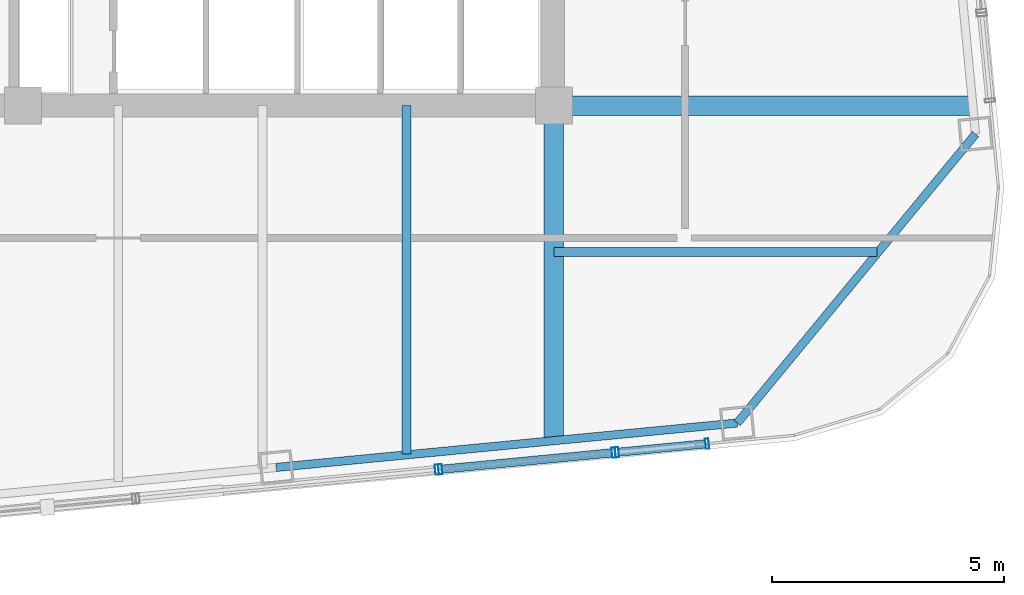
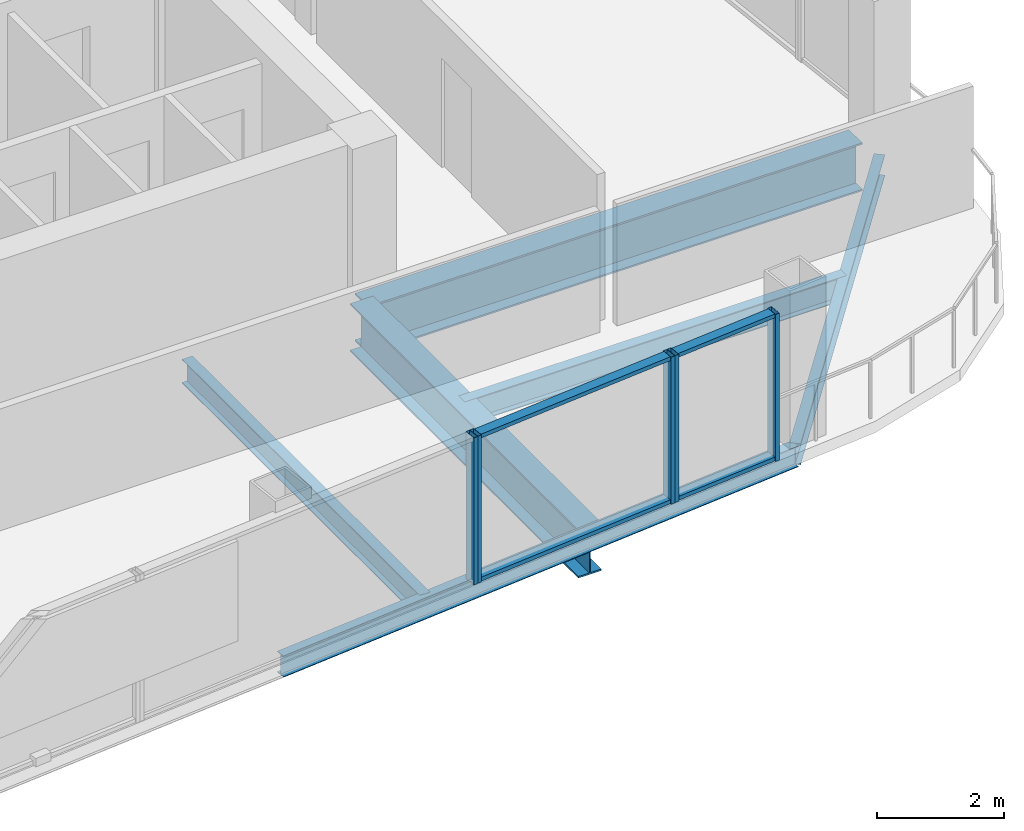
# One storey, part 9 of 21: 9 members, 6 beams, 3 elements without a shape of their own.
"""IFC4 building model written with IfcOpenShell, lengths in metres."""

from ifc_helpers import new_model, si_unit, direction, frame, origin, origin_2d, place, context, subcontext, project, spatial, hollow_rectangle, i_section, extrude, material, layer, layer_set, material_profile, profile_set, type_object, element, aggregate, save


model = new_model("IFC4")

# Units and contexts
model_context = context("Model", 3, precision=1e-05, world=origin(), true_north=direction((0.0, 1.0)))
body_context = subcontext(model_context, "Body", "Model", "MODEL_VIEW")
ifc_project = project(units=[si_unit("LENGTHUNIT", "METRE"), si_unit("AREAUNIT", "SQUARE_METRE"), si_unit("VOLUMEUNIT", "CUBIC_METRE"), si_unit("PLANEANGLEUNIT", "RADIAN"), si_unit("MASSUNIT", "GRAM", prefix="KILO")], contexts=[model_context])

# Site, building, storey
site_placement = place(None, origin())
site = spatial("IfcSite", under=ifc_project, at=site_placement, CompositionType="ELEMENT")
building_placement = place(site_placement, origin())
building = spatial("IfcBuilding", under=site, at=building_placement, Name="Qhalaya Broadcast Tower", CompositionType="ELEMENT")
storey_placement = place(building_placement, frame((0.0, 0.0, 162.25)))
storey = spatial("IfcBuildingStorey", under=building, at=storey_placement, Name="L47", CompositionType="ELEMENT", Elevation=162.25)

# Beams
ifc_material_1 = material(Name="Structural Steel ASTM A992 Grade 50", Category="steel")
ifc_material_profile_1 = material_profile(ifc_material_1, i_section(OverallWidth=0.19189453125, OverallDepth=0.462890625, WebThickness=0.010498046875, FlangeThickness=0.017578125, at=origin_2d()), Name="W18X60")
ifc_profile_set_1 = profile_set([ifc_material_profile_1], Name="Structural Steel ASTM A992 Grade 50")
beam_type_1 = type_object("IfcBeamType", Name="Composite Floor Joist J03", PredefinedType="JOIST", material=ifc_profile_set_1)
beam_1_placement = place(storey_placement, frame((6.199951171875, -16.24755859375, -0.451416015625), z_axis=(0.0, 1.0, 0.0), x_axis=(-1.0, 0.0, 0.0)))
element("IfcBeam", 1, at=beam_1_placement, inside=storey, type_object=beam_type_1, Name="L47 J03 L47-JNS5-1", PredefinedType="JOIST", context=body_context, shape_type="SweptSolid", body=[
    extrude(i_section(OverallWidth=0.19189453125, OverallDepth=0.462890625, WebThickness=0.010498046875, FlangeThickness=0.017578125, at=origin_2d()), origin(), (0.0, 0.0, 1.0), 7.49755859375),
])
beam_2_placement = place(storey_placement, frame((9.375, -11.89990234375, -0.451416015625), z_axis=(1.0, 0.0, 0.0), x_axis=(0.0, 1.0, 0.0)))
element("IfcBeam", 2, at=beam_2_placement, inside=storey, type_object=beam_type_1, Name="L47 J03 L47-JWE2E-1", PredefinedType="JOIST", context=body_context, shape_type="SweptSolid", body=[
    extrude(i_section(OverallWidth=0.19189453125, OverallDepth=0.462890625, WebThickness=0.010498046875, FlangeThickness=0.017578125, at=origin_2d()), origin(), (0.0, 0.0, 1.0), 6.95458984375),
])
ifc_material_profile_2 = material_profile(ifc_material_1, i_section(OverallWidth=0.4189453125, OverallDepth=0.927001953125, WebThickness=0.019287109375, FlangeThickness=0.031982421875, at=origin_2d()), Name="W36X231")
ifc_profile_set_2 = profile_set([ifc_material_profile_2], Name="Structural Steel ASTM A992 Grade 50")
beam_type_2 = type_object("IfcBeamType", Name="Mid Block Primary Girder PG3", PredefinedType="USERDEFINED", material=ifc_profile_set_2)
beam_3_placement = place(storey_placement, frame((9.375, -15.94189453125, -0.68359375), z_axis=(0.0, 1.0, 0.0), x_axis=(-1.0, 0.0, 0.0)))
element("IfcBeam", 3, at=beam_3_placement, inside=storey, type_object=beam_type_2, Name="L47 PG3 L47-PGXS2-1", ObjectType="GIRDER", PredefinedType="USERDEFINED", context=body_context, shape_type="SweptSolid", body=[
    extrude(i_section(OverallWidth=0.4189453125, OverallDepth=0.927001953125, WebThickness=0.019287109375, FlangeThickness=0.031982421875, at=origin_2d()), origin(), (0.0, 0.0, 1.0), 7.19189453125),
])
beam_4_placement = place(storey_placement, frame((9.375, -8.75, -0.68359375), z_axis=(1.0, 0.0, 0.0), x_axis=(0.0, 1.0, 0.0)))
element("IfcBeam", 4, at=beam_4_placement, inside=storey, type_object=beam_type_2, Name="L47 PG3 L47-PGYE1-1", ObjectType="GIRDER", PredefinedType="USERDEFINED", context=body_context, shape_type="SweptSolid", body=[
    extrude(i_section(OverallWidth=0.4189453125, OverallDepth=0.927001953125, WebThickness=0.019287109375, FlangeThickness=0.031982421875, at=origin_2d()), origin(), (0.0, 0.0, 1.0), 8.993896484375),
])

# Curtain wall, member
ifc_material_2 = material(Name="Fired Architectural Terracotta", Category="masonry")
ifc_layer_1 = layer(ifc_material_2, 0.219970703125, Name="Fired Architectural Terracotta")
ifc_layer_set_1 = layer_set([ifc_layer_1], Name="Fired Architectural Terracotta")
curtain_wall_type_1 = type_object("IfcCurtainWallType", Name="Block-Cap Unitised Terracotta Spandrel Wall CW-07", PredefinedType="NOTDEFINED", material=ifc_layer_set_1)
curtain_wall_1_placement = place(storey_placement, origin())
curtain_wall_1 = element("IfcCurtainWall", 5, at=curtain_wall_1_placement, inside=storey, type_object=curtain_wall_type_1, Name="L47 Unitised Curtain Wall L47-CW-S5", PredefinedType="NOTDEFINED")
ifc_material_3 = material(Name="Anodised Aluminium 6063-T6", Category="aluminium")
ifc_material_profile_3 = material_profile(ifc_material_3, hollow_rectangle(XDim=0.074951171875, YDim=0.219970703125, WallThickness=0.00390625, at=origin_2d()), Name="ALU-MUL 75x220x4")
ifc_profile_set_3 = profile_set([ifc_material_profile_3], Name="Anodised Aluminium 6063-T6")
member_type_1 = type_object("IfcMemberType", Name="Unitised Curtain-Wall Mullion M01", PredefinedType="MULLION", material=ifc_profile_set_3)
member_1_placement = place(storey_placement, frame((6.85546875, -16.586181640625, 0.0), z_axis=(0.0, 0.0, 1.0), x_axis=(0.995396255089, 0.095845163439, 0.0)))
member_1 = element("IfcMember", 6, at=member_1_placement, type_object=member_type_1, Name="CW-07 mullion 2", PredefinedType="MULLION", context=body_context, shape_type="SweptSolid", body=[
    extrude(hollow_rectangle(XDim=0.074951171875, YDim=0.219970703125, WallThickness=0.00390625, at=origin_2d()), origin(), (0.0, 0.0, 1.0), 2.830078125),
])
aggregate(curtain_wall_1, [member_1])

# Curtain wall, members
ifc_material_4 = material(Name="Solar-Control Low-E Triple Glazing", Category="glass")
ifc_layer_2 = layer(ifc_material_4, 0.219970703125, Name="Solar-Control Low-E Triple Glazing")
ifc_layer_set_2 = layer_set([ifc_layer_2], Name="Solar-Control Low-E Triple Glazing")
curtain_wall_type_2 = type_object("IfcCurtainWallType", Name="Even-Block 4-Storey Double-Module Curtain Wall CW-03", PredefinedType="NOTDEFINED", material=ifc_layer_set_2)
curtain_wall_2_placement = place(storey_placement, origin())
curtain_wall_2 = element("IfcCurtainWall", 7, at=curtain_wall_2_placement, inside=storey, type_object=curtain_wall_type_2, Name="L47 Unitised Curtain Wall L47-CW-S6", PredefinedType="NOTDEFINED")
member_2_placement = place(storey_placement, frame((6.929931640625, -16.5791015625, 0.0), z_axis=(0.0, 0.0, 1.0), x_axis=(0.995396841683, 0.095839071198, 0.0)))
member_2 = element("IfcMember", 8, at=member_2_placement, type_object=member_type_1, Name="CW-03 mullion 1", PredefinedType="MULLION", context=body_context, shape_type="SweptSolid", body=[
    extrude(hollow_rectangle(XDim=0.074951171875, YDim=0.219970703125, WallThickness=0.00390625, at=origin_2d()), origin(), (0.0, 0.0, 1.0), 2.830078125),
])
member_3_placement = place(storey_placement, frame((10.65869140625, -16.22021484375, 0.0), z_axis=(0.0, 0.0, 1.0), x_axis=(0.995396841683, 0.095839071198, 0.0)))
member_3 = element("IfcMember", 9, at=member_3_placement, type_object=member_type_1, Name="CW-03 mullion 2", PredefinedType="MULLION", context=body_context, shape_type="SweptSolid", body=[
    extrude(hollow_rectangle(XDim=0.074951171875, YDim=0.219970703125, WallThickness=0.00390625, at=origin_2d()), origin(), (0.0, 0.0, 1.0), 2.830078125),
])

curtain_wall_3_placement = place(storey_placement, origin())
curtain_wall_3 = element("IfcCurtainWall", 10, at=curtain_wall_3_placement, inside=storey, type_object=curtain_wall_type_1, Name="L47 Unitised Curtain Wall L47-CW-S7", PredefinedType="NOTDEFINED")
member_4_placement = place(storey_placement, frame((10.7333984375, -16.212890625, 0.0), z_axis=(0.0, 0.0, 1.0), x_axis=(0.995396068977, 0.095847096282, 0.0)))
member_4 = element("IfcMember", 11, at=member_4_placement, type_object=member_type_1, Name="CW-07 mullion 1", PredefinedType="MULLION", context=body_context, shape_type="SweptSolid", body=[
    extrude(hollow_rectangle(XDim=0.074951171875, YDim=0.219970703125, WallThickness=0.00390625, at=origin_2d()), origin(), (0.0, 0.0, 1.0), 2.830078125),
])
member_5_placement = place(storey_placement, frame((12.67236328125, -16.026123046875, 0.0), z_axis=(0.0, 0.0, 1.0), x_axis=(0.995396068977, 0.095847096282, 0.0)))
member_5 = element("IfcMember", 12, at=member_5_placement, type_object=member_type_1, Name="CW-07 mullion 2", PredefinedType="MULLION", context=body_context, shape_type="SweptSolid", body=[
    extrude(hollow_rectangle(XDim=0.074951171875, YDim=0.219970703125, WallThickness=0.00390625, at=origin_2d()), origin(), (0.0, 0.0, 1.0), 2.830078125),
])

# Member
ifc_material_profile_4 = material_profile(ifc_material_3, hollow_rectangle(XDim=0.074951171875, YDim=0.179931640625, WallThickness=0.00390625, at=origin_2d()), Name="ALU-TRN 75x180x4")
ifc_profile_set_4 = profile_set([ifc_material_profile_4], Name="Anodised Aluminium 6063-T6")
member_type_2 = type_object("IfcMemberType", Name="Unitised Curtain-Wall Transom T01", PredefinedType="USERDEFINED", material=ifc_profile_set_4)
member_6_placement = place(storey_placement, frame((6.96728515625, -16.575439453125, 0.03759765625), z_axis=(0.99539720199, 0.095835328928, 0.0), x_axis=(0.0, 0.0, 1.0)))
member_6 = element("IfcMember", 13, at=member_6_placement, type_object=member_type_2, Name="CW-03 transom 1.1", ObjectType="TRANSOM", PredefinedType="USERDEFINED", context=body_context, shape_type="SweptSolid", body=[
    extrude(hollow_rectangle(XDim=0.074951171875, YDim=0.179931640625, WallThickness=0.00390625, at=origin_2d()), origin(), (0.0, 0.0, 1.0), 3.6708984375),
])

member_7_placement = place(storey_placement, frame((6.96728515625, -16.575439453125, 2.79248046875), z_axis=(0.99539720199, 0.095835328928, 0.0), x_axis=(0.0, 0.0, 1.0)))
member_7 = element("IfcMember", 14, at=member_7_placement, type_object=member_type_2, Name="CW-03 transom 1.2", ObjectType="TRANSOM", PredefinedType="USERDEFINED", context=body_context, shape_type="SweptSolid", body=[
    extrude(hollow_rectangle(XDim=0.074951171875, YDim=0.179931640625, WallThickness=0.00390625, at=origin_2d()), origin(), (0.0, 0.0, 1.0), 3.6708984375),
])

aggregate(curtain_wall_2, [member_2, member_3, member_6, member_7])

member_8_placement = place(storey_placement, frame((10.770751953125, -16.209228515625, 0.03759765625), z_axis=(0.995400667165, 0.095799330937, 0.0), x_axis=(0.0, 0.0, 1.0)))
member_8 = element("IfcMember", 15, at=member_8_placement, type_object=member_type_2, Name="CW-07 transom 1.1", ObjectType="TRANSOM", PredefinedType="USERDEFINED", context=body_context, shape_type="SweptSolid", body=[
    extrude(hollow_rectangle(XDim=0.074951171875, YDim=0.179931640625, WallThickness=0.00390625, at=origin_2d()), origin(), (0.0, 0.0, 1.0), 1.873046875),
])

member_9_placement = place(storey_placement, frame((10.770751953125, -16.209228515625, 2.79248046875), z_axis=(0.995400667165, 0.095799330937, 0.0), x_axis=(0.0, 0.0, 1.0)))
member_9 = element("IfcMember", 16, at=member_9_placement, type_object=member_type_2, Name="CW-07 transom 1.2", ObjectType="TRANSOM", PredefinedType="USERDEFINED", context=body_context, shape_type="SweptSolid", body=[
    extrude(hollow_rectangle(XDim=0.074951171875, YDim=0.179931640625, WallThickness=0.00390625, at=origin_2d()), origin(), (0.0, 0.0, 1.0), 1.873046875),
])

aggregate(curtain_wall_3, [member_4, member_5, member_8, member_9])

# Beams
ifc_material_profile_5 = material_profile(ifc_material_1, i_section(OverallWidth=0.177978515625, OverallDepth=0.406005859375, WebThickness=0.0078125, FlangeThickness=0.0126953125, at=origin_2d()), Name="W16X40")
ifc_profile_set_5 = profile_set([ifc_material_profile_5], Name="Structural Steel ASTM A992 Grade 50")
beam_type_3 = type_object("IfcBeamType", Name="Upper Perimeter Spandrel Beam SP2", PredefinedType="SPANDREL", material=ifc_profile_set_5)
beam_5_placement = place(storey_placement, frame((3.399658203125, -16.537353515625, -0.423095703125), z_axis=(0.995395510024, 0.095852900965, 0.0), x_axis=(-0.095852900965, 0.995395510024, 0.0)))
element("IfcBeam", 17, at=beam_5_placement, inside=storey, type_object=beam_type_3, Name="L47 SP2 L47-SPR-03", PredefinedType="SPANDREL", context=body_context, shape_type="SweptSolid", body=[
    extrude(i_section(OverallWidth=0.177978515625, OverallDepth=0.406005859375, WebThickness=0.0078125, FlangeThickness=0.0126953125, at=origin_2d()), origin(), (0.0, 0.0, 1.0), 9.966552734375),
])
beam_6_placement = place(storey_placement, frame((13.3203125, -15.58203125, -0.423095703125), z_axis=(0.636085107008, 0.771618906354, 0.0), x_axis=(-0.771618906354, 0.636085107008, 0.0)))
element("IfcBeam", 18, at=beam_6_placement, inside=storey, type_object=beam_type_3, Name="L47 SP2 L47-SPR-04", PredefinedType="SPANDREL", context=body_context, shape_type="SweptSolid", body=[
    extrude(i_section(OverallWidth=0.177978515625, OverallDepth=0.406005859375, WebThickness=0.0078125, FlangeThickness=0.0126953125, at=origin_2d()), origin(), (0.0, 0.0, 1.0), 8.06103515625),
])

save(model, "model.ifc")
